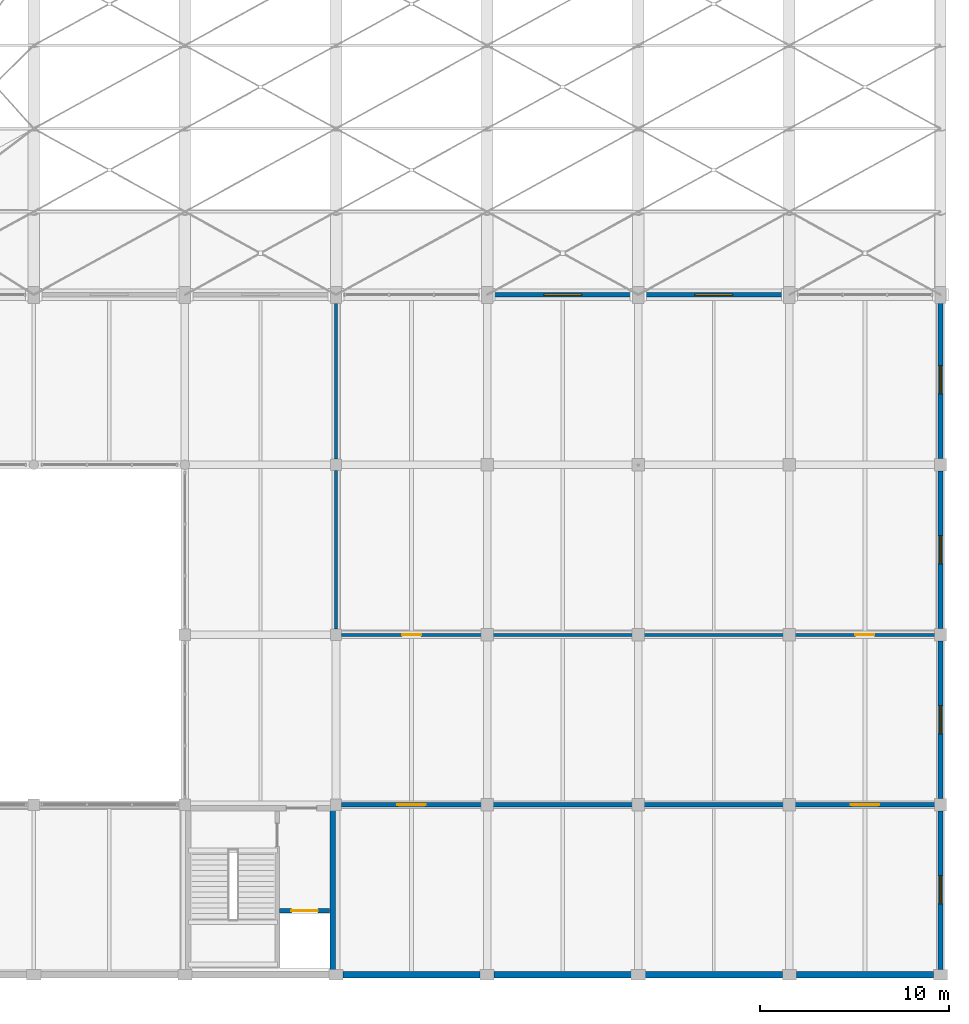
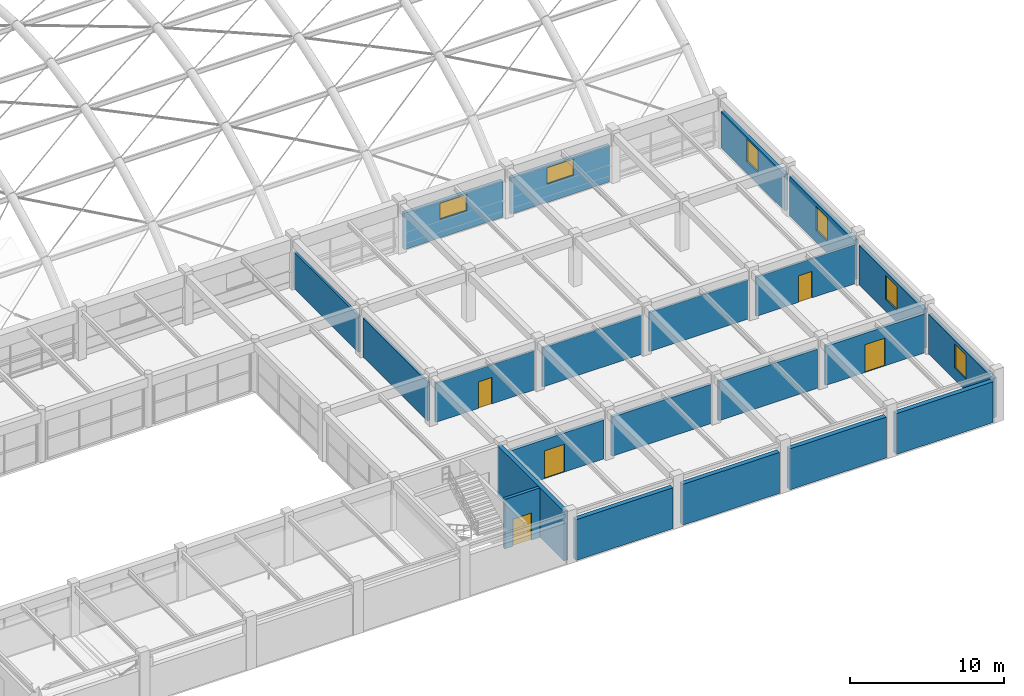
# One storey, part 103 of 126: 22 walls, 6 windows, 5 doors, 11 openings.
"""IFC4 building model written with IfcOpenShell, lengths in metres."""

from ifc_helpers import new_model, si_unit, direction, frame, frame_2d, origin, place, context, subcontext, project, spatial, rectangle, extrude, material, layer, layer_set, type_object, element, fill, save


model = new_model("IFC4")

# Units and contexts
model_context = context("Model", 3, precision=1e-05, world=origin(), true_north=direction((0.0, 1.0)))
body_context = subcontext(model_context, "Body", "Model", "MODEL_VIEW")
ifc_project = project(units=[si_unit("LENGTHUNIT", "METRE"), si_unit("AREAUNIT", "SQUARE_METRE"), si_unit("VOLUMEUNIT", "CUBIC_METRE"), si_unit("PLANEANGLEUNIT", "RADIAN"), si_unit("MASSUNIT", "GRAM", prefix="KILO")], contexts=[model_context])

# Site, building, storey
site_placement = place(None, origin())
site = spatial("IfcSite", under=ifc_project, at=site_placement, CompositionType="ELEMENT")
building_placement = place(site_placement, origin())
building = spatial("IfcBuilding", under=site, at=building_placement, Name="Varnabhumi Central Station", CompositionType="ELEMENT")
storey_placement = place(building_placement, frame((0.0, 0.0, 16.199951171875)))
storey = spatial("IfcBuildingStorey", under=building, at=storey_placement, Name="L03", CompositionType="ELEMENT", Elevation=16.199951171875)

# Wall, opening, door
ifc_material_1 = material(Name="Autoclaved aerated blockwork masonry", Category="masonry")
ifc_layer_1 = layer(ifc_material_1, 0.219970703125, Name="Autoclaved aerated blockwork masonry", Category="masonry")
ifc_layer_set_1 = layer_set([ifc_layer_1], Name="Autoclaved aerated blockwork masonry")
wall_type_1 = type_object("IfcWallType", Name="WAL-COMP-AAC-220", PredefinedType="SOLIDWALL", material=ifc_layer_set_1)
wall_1_placement = place(storey_placement, frame((152.300048828125, 9.0, 0.0), z_axis=(0.0, 0.0, 1.0), x_axis=(1.0, 0.0, 0.0)))
wall_1 = element("IfcWall", 1, at=wall_1_placement, inside=storey, type_object=wall_type_1, Name="Operations AHU Plant Room L03 Corridor Partition 1", PredefinedType="SOLIDWALL", context=body_context, shape_type="SweptSolid", body=[
    extrude(rectangle(XDim=7.39990234375, YDim=0.219970703125, at=frame_2d((3.699951171875, 0.0))), origin(), (0.0, 0.0, 1.0), 3.10009765625),
])
opening_1_placement = place(wall_1_placement, frame((2.949951171875, 0.0, 0.0)))
opening_1 = element("IfcOpeningElement", 2, at=opening_1_placement, cuts=wall_1, Name="Opening FD-PLT", PredefinedType="OPENING", context=body_context, shape_type="SweptSolid", body=[
    extrude(rectangle(XDim=1.5, YDim=2.199951171875, at=frame_2d((0.75, 1.10009765625))), frame((0.0, 0.119873046875, 0.0), z_axis=(0.0, -1.0, 0.0), x_axis=(1.0, 0.0, 0.0)), (0.0, 0.0, 1.0), 0.239990234375),
])
ifc_material_2 = material(Name="Stainless steel Grade 316", Category="steel")
door_type_1 = type_object("IfcDoorType", Name="DR-PLANT-1500", OperationType="NOTDEFINED", PredefinedType="DOOR", material=ifc_material_2)
door_1_placement = place(opening_1_placement, origin())
door_1 = element("IfcDoor", 3, at=door_1_placement, inside=storey, type_object=door_type_1, Name="Operations AHU Plant Room L03 Door 1", OperationType="SINGLE_SWING_RIGHT", OverallHeight=2.199951171875, OverallWidth=1.5, PredefinedType="DOOR", context=body_context, shape_type="SweptSolid", body=[
    extrude(rectangle(XDim=1.5, YDim=2.199951171875, at=frame_2d((0.75, 1.10009765625))), frame((0.0, 0.02490234375, 0.0), z_axis=(0.0, -1.0, 0.0), x_axis=(1.0, 0.0, 0.0)), (0.0, 0.0, 1.0), 0.050048828125),
])
fill(opening_1, door_1)

# Walls
for number, where, z_axis, x_axis, name in (
    (4, (160.300048828125, 9.0, 0.0), (0.0, 0.0, 1.0), (1.0, 0.0, 0.0), "Operations AHU Plant Room L03 Corridor Partition 2"),
    (5, (168.300048828125, 9.0, 0.0), (0.0, 0.0, 1.0), (1.0, 0.0, 0.0), "Operations AHU Plant Room L03 Corridor Partition 3"),
):
    element("IfcWall", number, at=place(storey_placement, frame(where, z_axis=z_axis, x_axis=x_axis)), inside=storey, type_object=wall_type_1, Name=name, PredefinedType="SOLIDWALL", context=body_context, shape_type="SweptSolid", body=[
        extrude(rectangle(XDim=7.39990234375, YDim=0.219970703125, at=frame_2d((3.699951171875, 0.0))), origin(), (0.0, 0.0, 1.0), 3.10009765625),
    ])

# Wall, opening, door
wall_2_placement = place(storey_placement, frame((176.300048828125, 9.0, 0.0), z_axis=(0.0, 0.0, 1.0), x_axis=(1.0, 0.0, 0.0)))
wall_2 = element("IfcWall", 6, at=wall_2_placement, inside=storey, type_object=wall_type_1, Name="Operations AHU Plant Room L03 Corridor Partition 4", PredefinedType="SOLIDWALL", context=body_context, shape_type="SweptSolid", body=[
    extrude(rectangle(XDim=7.39990234375, YDim=0.219970703125, at=frame_2d((3.699951171875, 0.0))), origin(), (0.0, 0.0, 1.0), 3.10009765625),
])
opening_2_placement = place(wall_2_placement, frame((2.949951171875, 0.0, 0.0)))
opening_2 = element("IfcOpeningElement", 7, at=opening_2_placement, cuts=wall_2, Name="Opening FD-PLT", PredefinedType="OPENING", context=body_context, shape_type="SweptSolid", body=[
    extrude(rectangle(XDim=1.5, YDim=2.199951171875, at=frame_2d((0.75, 1.10009765625))), frame((0.0, 0.119873046875, 0.0), z_axis=(0.0, -1.0, 0.0), x_axis=(1.0, 0.0, 0.0)), (0.0, 0.0, 1.0), 0.239990234375),
])
door_2_placement = place(opening_2_placement, origin())
door_2 = element("IfcDoor", 8, at=door_2_placement, inside=storey, type_object=door_type_1, Name="Operations AHU Plant Room L03 Door 4", OperationType="SINGLE_SWING_LEFT", OverallHeight=2.199951171875, OverallWidth=1.5, PredefinedType="DOOR", context=body_context, shape_type="SweptSolid", body=[
    extrude(rectangle(XDim=1.5, YDim=2.199951171875, at=frame_2d((0.75, 1.10009765625))), frame((0.0, 0.02490234375, 0.0), z_axis=(0.0, -1.0, 0.0), x_axis=(1.0, 0.0, 0.0)), (0.0, 0.0, 1.0), 0.050048828125),
])
fill(opening_2, door_2)

# Wall
ifc_material_3 = material(Name="Concrete M40", Category="concrete")
ifc_layer_2 = layer(ifc_material_3, 0.300048828125, Name="Concrete M40", Category="concrete")
ifc_layer_set_2 = layer_set([ifc_layer_2], Name="Concrete M40")
wall_type_2 = type_object("IfcWallType", Name="WAL-CORE-RC-300", PredefinedType="SHEAR", material=ifc_layer_set_2)
wall_3_placement = place(storey_placement, frame((151.820068359375, 0.179931640625, 0.0), z_axis=(0.0, 0.0, 1.0), x_axis=(0.0, 1.0, 0.0)))
element("IfcWall", 9, at=wall_3_placement, inside=storey, type_object=wall_type_2, Name="SC3 L03 East Shear Wall", PredefinedType="SHEAR", context=body_context, shape_type="SweptSolid", body=[
    extrude(rectangle(XDim=8.64013671875, YDim=0.300048828125, at=frame_2d((4.320068359375, 0.0))), origin(), (0.0, 0.0, 1.0), 3.920166015625),
])

# Wall, opening, window
ifc_layer_3 = layer(ifc_material_1, 0.260009765625, Name="Autoclaved aerated blockwork masonry", Category="masonry")
ifc_layer_set_3 = layer_set([ifc_layer_3], Name="Autoclaved aerated blockwork masonry")
wall_type_3 = type_object("IfcWallType", Name="WAL-EXT-STUCCO-260", PredefinedType="SOLIDWALL", material=ifc_layer_set_3)
wall_4_placement = place(storey_placement, frame((160.294921875, 36.0, 0.0), z_axis=(0.0, 0.0, 1.0), x_axis=(1.0, 0.0, 0.0)))
wall_4 = element("IfcWall", 10, at=wall_4_placement, inside=storey, type_object=wall_type_3, Name="South Spine Wall L03-17", PredefinedType="SOLIDWALL", context=body_context, shape_type="SweptSolid", body=[
    extrude(rectangle(XDim=7.41015625, YDim=0.260009765625, at=frame_2d((3.705078125, 0.0))), origin(), (0.0, 0.0, 1.0), 2.880126953125),
])
opening_3_placement = place(wall_4_placement, frame((2.705078125, 0.0, 1.449951171875)))
opening_3 = element("IfcOpeningElement", 11, at=opening_3_placement, cuts=wall_4, Name="Opening W-06", PredefinedType="OPENING", context=body_context, shape_type="SweptSolid", body=[
    extrude(rectangle(XDim=2.0, YDim=1.2900390625, at=frame_2d((1.0, 0.64501953125))), frame((0.0, 0.139892578125, 0.0), z_axis=(0.0, -1.0, 0.0), x_axis=(1.0, 0.0, 0.0)), (0.0, 0.0, 1.0), 0.280029296875),
])
ifc_material_4 = material(Name="Laminated low-E double glazing", Category="glass")
window_type_1 = type_object("IfcWindowType", Name="WIN-OPS-2000x1900", PartitioningType="DOUBLE_PANEL_VERTICAL", PredefinedType="WINDOW", material=ifc_material_4)
window_1_placement = place(opening_3_placement, origin())
window_1 = element("IfcWindow", 12, at=window_1_placement, inside=storey, type_object=window_type_1, Name="South Spine Overlook Window L03-17", OverallHeight=1.2900390625, OverallWidth=2.0, PartitioningType="SINGLE_PANEL", PredefinedType="WINDOW", context=body_context, shape_type="SweptSolid", body=[
    extrude(rectangle(XDim=2.0, YDim=1.2900390625, at=frame_2d((1.0, 0.64501953125))), frame((0.0, 0.030029296875, 0.0), z_axis=(0.0, -1.0, 0.0), x_axis=(1.0, 0.0, 0.0)), (0.0, 0.0, 1.0), 0.06005859375),
])
fill(opening_3, window_1)

wall_5_placement = place(storey_placement, frame((168.294921875, 36.0, 0.0), z_axis=(0.0, 0.0, 1.0), x_axis=(1.0, 0.0, 0.0)))
wall_5 = element("IfcWall", 13, at=wall_5_placement, inside=storey, type_object=wall_type_3, Name="South Spine Wall L03-18", PredefinedType="SOLIDWALL", context=body_context, shape_type="SweptSolid", body=[
    extrude(rectangle(XDim=7.41015625, YDim=0.260009765625, at=frame_2d((3.705078125, 0.0))), origin(), (0.0, 0.0, 1.0), 2.880126953125),
])
opening_4_placement = place(wall_5_placement, frame((2.705078125, 0.0, 1.449951171875)))
opening_4 = element("IfcOpeningElement", 14, at=opening_4_placement, cuts=wall_5, Name="Opening W-06", PredefinedType="OPENING", context=body_context, shape_type="SweptSolid", body=[
    extrude(rectangle(XDim=2.0, YDim=1.2900390625, at=frame_2d((1.0, 0.64501953125))), frame((0.0, 0.139892578125, 0.0), z_axis=(0.0, -1.0, 0.0), x_axis=(1.0, 0.0, 0.0)), (0.0, 0.0, 1.0), 0.280029296875),
])
window_2_placement = place(opening_4_placement, origin())
window_2 = element("IfcWindow", 15, at=window_2_placement, inside=storey, type_object=window_type_1, Name="South Spine Overlook Window L03-18", OverallHeight=1.2900390625, OverallWidth=2.0, PartitioningType="SINGLE_PANEL", PredefinedType="WINDOW", context=body_context, shape_type="SweptSolid", body=[
    extrude(rectangle(XDim=2.0, YDim=1.2900390625, at=frame_2d((1.0, 0.64501953125))), frame((0.0, 0.030029296875, 0.0), z_axis=(0.0, -1.0, 0.0), x_axis=(1.0, 0.0, 0.0)), (0.0, 0.0, 1.0), 0.06005859375),
])
fill(opening_4, window_2)

wall_6_placement = place(storey_placement, frame((184.0, 0.27001953125, 0.0), z_axis=(0.0, 0.0, 1.0), x_axis=(0.0, 1.0, 0.0)))
wall_6 = element("IfcWall", 16, at=wall_6_placement, inside=storey, type_object=wall_type_3, Name="South Wing W End Wall L03-1", PredefinedType="SOLIDWALL", context=body_context, shape_type="SweptSolid", body=[
    extrude(rectangle(XDim=8.409912109375, YDim=0.260009765625, at=frame_2d((4.205078125, 0.0))), origin(), (0.0, 0.0, 1.0), 3.130126953125),
])
opening_5_placement = place(wall_6_placement, frame((3.47998046875, 0.0, 0.949951171875)))
opening_5 = element("IfcOpeningElement", 17, at=opening_5_placement, cuts=wall_6, Name="Opening W-07", PredefinedType="OPENING", context=body_context, shape_type="SweptSolid", body=[
    extrude(rectangle(XDim=1.5, YDim=1.89990234375, at=frame_2d((0.75, 0.949951171875))), frame((0.0, 0.139892578125, 0.0), z_axis=(0.0, -1.0, 0.0), x_axis=(1.0, 0.0, 0.0)), (0.0, 0.0, 1.0), 0.280029296875),
])
window_type_2 = type_object("IfcWindowType", Name="WIN-OPS-1500x1900", PartitioningType="SINGLE_PANEL", PredefinedType="WINDOW", material=ifc_material_4)
window_3_placement = place(opening_5_placement, origin())
window_3 = element("IfcWindow", 18, at=window_3_placement, inside=storey, type_object=window_type_2, Name="South W Window L03-1", OverallHeight=1.89990234375, OverallWidth=1.5, PartitioningType="SINGLE_PANEL", PredefinedType="WINDOW", context=body_context, shape_type="SweptSolid", body=[
    extrude(rectangle(XDim=1.5, YDim=1.89990234375, at=frame_2d((0.75, 0.949951171875))), frame((0.0, 0.030029296875, 0.0), z_axis=(0.0, -1.0, 0.0), x_axis=(1.0, 0.0, 0.0)), (0.0, 0.0, 1.0), 0.06005859375),
])
fill(opening_5, window_3)

wall_7_placement = place(storey_placement, frame((184.0, 9.320068359375, 0.0), z_axis=(0.0, 0.0, 1.0), x_axis=(0.0, 1.0, 0.0)))
wall_7 = element("IfcWall", 19, at=wall_7_placement, inside=storey, type_object=wall_type_3, Name="South Wing W End Wall L03-2", PredefinedType="SOLIDWALL", context=body_context, shape_type="SweptSolid", body=[
    extrude(rectangle(XDim=8.35986328125, YDim=0.260009765625, at=frame_2d((4.179931640625, 0.0))), origin(), (0.0, 0.0, 1.0), 3.130126953125),
])
opening_6_placement = place(wall_7_placement, frame((3.429931640625, 0.0, 0.949951171875)))
opening_6 = element("IfcOpeningElement", 20, at=opening_6_placement, cuts=wall_7, Name="Opening W-07", PredefinedType="OPENING", context=body_context, shape_type="SweptSolid", body=[
    extrude(rectangle(XDim=1.5, YDim=1.89990234375, at=frame_2d((0.75, 0.949951171875))), frame((0.0, 0.139892578125, 0.0), z_axis=(0.0, -1.0, 0.0), x_axis=(1.0, 0.0, 0.0)), (0.0, 0.0, 1.0), 0.280029296875),
])
window_4_placement = place(opening_6_placement, origin())
window_4 = element("IfcWindow", 21, at=window_4_placement, inside=storey, type_object=window_type_2, Name="South W Window L03-2", OverallHeight=1.89990234375, OverallWidth=1.5, PartitioningType="SINGLE_PANEL", PredefinedType="WINDOW", context=body_context, shape_type="SweptSolid", body=[
    extrude(rectangle(XDim=1.5, YDim=1.89990234375, at=frame_2d((0.75, 0.949951171875))), frame((0.0, 0.030029296875, 0.0), z_axis=(0.0, -1.0, 0.0), x_axis=(1.0, 0.0, 0.0)), (0.0, 0.0, 1.0), 0.06005859375),
])
fill(opening_6, window_4)

wall_8_placement = place(storey_placement, frame((184.0, 18.320068359375, 0.0), z_axis=(0.0, 0.0, 1.0), x_axis=(0.0, 1.0, 0.0)))
wall_8 = element("IfcWall", 22, at=wall_8_placement, inside=storey, type_object=wall_type_3, Name="South Wing W End Wall L03-3", PredefinedType="SOLIDWALL", context=body_context, shape_type="SweptSolid", body=[
    extrude(rectangle(XDim=8.35986328125, YDim=0.260009765625, at=frame_2d((4.179931640625, 0.0))), origin(), (0.0, 0.0, 1.0), 3.130126953125),
])
opening_7_placement = place(wall_8_placement, frame((3.429931640625, 0.0, 0.949951171875)))
opening_7 = element("IfcOpeningElement", 23, at=opening_7_placement, cuts=wall_8, Name="Opening W-07", PredefinedType="OPENING", context=body_context, shape_type="SweptSolid", body=[
    extrude(rectangle(XDim=1.5, YDim=1.89990234375, at=frame_2d((0.75, 0.949951171875))), frame((0.0, 0.139892578125, 0.0), z_axis=(0.0, -1.0, 0.0), x_axis=(1.0, 0.0, 0.0)), (0.0, 0.0, 1.0), 0.280029296875),
])
window_5_placement = place(opening_7_placement, origin())
window_5 = element("IfcWindow", 24, at=window_5_placement, inside=storey, type_object=window_type_2, Name="South W Window L03-3", OverallHeight=1.89990234375, OverallWidth=1.5, PartitioningType="SINGLE_PANEL", PredefinedType="WINDOW", context=body_context, shape_type="SweptSolid", body=[
    extrude(rectangle(XDim=1.5, YDim=1.89990234375, at=frame_2d((0.75, 0.949951171875))), frame((0.0, 0.030029296875, 0.0), z_axis=(0.0, -1.0, 0.0), x_axis=(1.0, 0.0, 0.0)), (0.0, 0.0, 1.0), 0.06005859375),
])
fill(opening_7, window_5)

wall_9_placement = place(storey_placement, frame((184.0, 27.320068359375, 0.0), z_axis=(0.0, 0.0, 1.0), x_axis=(0.0, 1.0, 0.0)))
wall_9 = element("IfcWall", 25, at=wall_9_placement, inside=storey, type_object=wall_type_3, Name="South Wing W End Wall L03-4", PredefinedType="SOLIDWALL", context=body_context, shape_type="SweptSolid", body=[
    extrude(rectangle(XDim=8.280029296875, YDim=0.260009765625, at=frame_2d((4.14013671875, 0.0))), origin(), (0.0, 0.0, 1.0), 2.880126953125),
])
opening_8_placement = place(wall_9_placement, frame((3.429931640625, 0.0, 0.949951171875)))
opening_8 = element("IfcOpeningElement", 26, at=opening_8_placement, cuts=wall_9, Name="Opening W-07", PredefinedType="OPENING", context=body_context, shape_type="SweptSolid", body=[
    extrude(rectangle(XDim=1.5, YDim=1.7900390625, at=frame_2d((0.75, 0.89501953125))), frame((0.0, 0.139892578125, 0.0), z_axis=(0.0, -1.0, 0.0), x_axis=(1.0, 0.0, 0.0)), (0.0, 0.0, 1.0), 0.280029296875),
])
window_6_placement = place(opening_8_placement, origin())
window_6 = element("IfcWindow", 27, at=window_6_placement, inside=storey, type_object=window_type_2, Name="South W Window L03-4", OverallHeight=1.7900390625, OverallWidth=1.5, PartitioningType="SINGLE_PANEL", PredefinedType="WINDOW", context=body_context, shape_type="SweptSolid", body=[
    extrude(rectangle(XDim=1.5, YDim=1.7900390625, at=frame_2d((0.75, 0.89501953125))), frame((0.0, 0.030029296875, 0.0), z_axis=(0.0, -1.0, 0.0), x_axis=(1.0, 0.0, 0.0)), (0.0, 0.0, 1.0), 0.06005859375),
])
fill(opening_8, window_6)

# Wall, opening, door
ifc_layer_4 = layer(ifc_material_1, 0.159912109375, Name="Autoclaved aerated blockwork masonry", Category="masonry")
ifc_layer_set_4 = layer_set([ifc_layer_4], Name="Autoclaved aerated blockwork masonry")
wall_type_4 = type_object("IfcWallType", Name="WAL-PART-AAC-160", PredefinedType="PARTITIONING", material=ifc_layer_set_4)
wall_10_placement = place(storey_placement, frame((152.300048828125, 18.0, 0.0), z_axis=(0.0, 0.0, 1.0), x_axis=(1.0, 0.0, 0.0)))
wall_10 = element("IfcWall", 28, at=wall_10_placement, inside=storey, type_object=wall_type_4, Name="Traction Power Supervisory Control Room Corridor Partition 1", PredefinedType="PARTITIONING", context=body_context, shape_type="SweptSolid", body=[
    extrude(rectangle(XDim=7.39990234375, YDim=0.159912109375, at=frame_2d((3.699951171875, 0.0))), origin(), (0.0, 0.0, 1.0), 3.10009765625),
])
opening_9_placement = place(wall_10_placement, frame((3.199951171875, 0.0, 0.0)))
opening_9 = element("IfcOpeningElement", 29, at=opening_9_placement, cuts=wall_10, Name="Opening D-01", PredefinedType="OPENING", context=body_context, shape_type="SweptSolid", body=[
    extrude(rectangle(XDim=1.0, YDim=2.10009765625, at=frame_2d((0.5, 1.050048828125))), frame((0.0, 0.08984375, 0.0), z_axis=(0.0, -1.0, 0.0), x_axis=(1.0, 0.0, 0.0)), (0.0, 0.0, 1.0), 0.179931640625),
])
ifc_material_5 = material(Name="Intumescent-treated hardwood timber", Category="wood")
door_type_2 = type_object("IfcDoorType", Name="DR-ROOM-1000", OperationType="NOTDEFINED", PredefinedType="DOOR", material=ifc_material_5)
door_3_placement = place(opening_9_placement, frame((1.0, 0.0, 0.0), z_axis=(0.0, 0.0, 1.0), x_axis=(-1.0, 0.0, 0.0)))
door_3 = element("IfcDoor", 30, at=door_3_placement, inside=storey, type_object=door_type_2, Name="Traction Power Supervisory Control Room Door 1", OperationType="SINGLE_SWING_RIGHT", OverallHeight=2.10009765625, OverallWidth=1.0, PredefinedType="DOOR", context=body_context, shape_type="SweptSolid", body=[
    extrude(rectangle(XDim=1.0, YDim=2.10009765625, at=frame_2d((0.5, 1.050048828125))), frame((0.0, 0.02490234375, 0.0), z_axis=(0.0, -1.0, 0.0), x_axis=(1.0, 0.0, 0.0)), (0.0, 0.0, 1.0), 0.050048828125),
])
fill(opening_9, door_3)

# Walls
for number, where, z_axis, x_axis, name in (
    (31, (160.300048828125, 18.0, 0.0), (0.0, 0.0, 1.0), (1.0, 0.0, 0.0), "Traction Power Supervisory Control Room Corridor Partition 2"),
    (32, (168.300048828125, 18.0, 0.0), (0.0, 0.0, 1.0), (1.0, 0.0, 0.0), "Traction Power Supervisory Control Room Corridor Partition 3"),
):
    element("IfcWall", number, at=place(storey_placement, frame(where, z_axis=z_axis, x_axis=x_axis)), inside=storey, type_object=wall_type_4, Name=name, PredefinedType="PARTITIONING", context=body_context, shape_type="SweptSolid", body=[
        extrude(rectangle(XDim=7.39990234375, YDim=0.159912109375, at=frame_2d((3.699951171875, 0.0))), origin(), (0.0, 0.0, 1.0), 3.10009765625),
    ])

# Wall, opening, door
wall_11_placement = place(storey_placement, frame((176.300048828125, 18.0, 0.0), z_axis=(0.0, 0.0, 1.0), x_axis=(1.0, 0.0, 0.0)))
wall_11 = element("IfcWall", 33, at=wall_11_placement, inside=storey, type_object=wall_type_4, Name="Traction Power Supervisory Control Room Corridor Partition 4", PredefinedType="PARTITIONING", context=body_context, shape_type="SweptSolid", body=[
    extrude(rectangle(XDim=7.39990234375, YDim=0.159912109375, at=frame_2d((3.699951171875, 0.0))), origin(), (0.0, 0.0, 1.0), 3.10009765625),
])
opening_10_placement = place(wall_11_placement, frame((3.199951171875, 0.0, 0.0)))
opening_10 = element("IfcOpeningElement", 34, at=opening_10_placement, cuts=wall_11, Name="Opening D-01", PredefinedType="OPENING", context=body_context, shape_type="SweptSolid", body=[
    extrude(rectangle(XDim=1.0, YDim=2.10009765625, at=frame_2d((0.5, 1.050048828125))), frame((0.0, 0.08984375, 0.0), z_axis=(0.0, -1.0, 0.0), x_axis=(1.0, 0.0, 0.0)), (0.0, 0.0, 1.0), 0.179931640625),
])
door_4_placement = place(opening_10_placement, frame((1.0, 0.0, 0.0), z_axis=(0.0, 0.0, 1.0), x_axis=(-1.0, 0.0, 0.0)))
door_4 = element("IfcDoor", 35, at=door_4_placement, inside=storey, type_object=door_type_2, Name="Traction Power Supervisory Control Room Door 4", OperationType="SINGLE_SWING_LEFT", OverallHeight=2.10009765625, OverallWidth=1.0, PredefinedType="DOOR", context=body_context, shape_type="SweptSolid", body=[
    extrude(rectangle(XDim=1.0, YDim=2.10009765625, at=frame_2d((0.5, 1.050048828125))), frame((0.0, 0.02490234375, 0.0), z_axis=(0.0, -1.0, 0.0), x_axis=(1.0, 0.0, 0.0)), (0.0, 0.0, 1.0), 0.050048828125),
])
fill(opening_10, door_4)

# Walls
wall_12_placement = place(storey_placement, frame((152.0, 18.300048828125, 0.0), z_axis=(0.0, 0.0, 1.0), x_axis=(0.0, 1.0, 0.0)))
element("IfcWall", 36, at=wall_12_placement, inside=storey, type_object=wall_type_4, Name="Traction Power Supervisory Control Room E Partition 1", PredefinedType="PARTITIONING", context=body_context, shape_type="SweptSolid", body=[
    extrude(rectangle(XDim=8.39990234375, YDim=0.159912109375, at=frame_2d((4.199951171875, 0.0))), origin(), (0.0, 0.0, 1.0), 3.10009765625),
])
wall_13_placement = place(storey_placement, frame((152.0, 27.300048828125, 0.0), z_axis=(0.0, 0.0, 1.0), x_axis=(0.0, 1.0, 0.0)))
element("IfcWall", 37, at=wall_13_placement, inside=storey, type_object=wall_type_4, Name="Traction Power Supervisory Control Room E Partition 2", PredefinedType="PARTITIONING", context=body_context, shape_type="SweptSolid", body=[
    extrude(rectangle(XDim=8.39990234375, YDim=0.159912109375, at=frame_2d((4.199951171875, 0.0))), origin(), (0.0, 0.0, 1.0), 2.880126953125),
])

# Wall, opening, door
ifc_layer_5 = layer(ifc_material_3, 0.239990234375, Name="Concrete M40", Category="concrete")
ifc_layer_set_5 = layer_set([ifc_layer_5], Name="Concrete M40")
wall_type_5 = type_object("IfcWallType", Name="WAL-SHAFT-RC-240", PredefinedType="SHEAR", material=ifc_layer_set_5)
wall_14_placement = place(storey_placement, frame((149.02001953125, 3.39990234375, 0.0), z_axis=(0.0, 0.0, 1.0), x_axis=(1.0, 0.0, 0.0)))
wall_14 = element("IfcWall", 38, at=wall_14_placement, inside=storey, type_object=wall_type_5, Name="GL-1 L03 Lift Shaft Front Wall", PredefinedType="SHEAR", context=body_context, shape_type="SweptSolid", body=[
    extrude(rectangle(XDim=2.6298828125, YDim=0.239990234375, at=frame_2d((1.31494140625, 0.0))), origin(), (0.0, 0.0, 1.0), 3.920166015625),
])
opening_11_placement = place(wall_14_placement, frame((0.614990234375, 0.0, 0.0)))
opening_11 = element("IfcOpeningElement", 39, at=opening_11_placement, cuts=wall_14, Name="Opening LD-GL-1", PredefinedType="OPENING", context=body_context, shape_type="SweptSolid", body=[
    extrude(rectangle(XDim=1.39990234375, YDim=2.14990234375, at=frame_2d((0.699951171875, 1.074951171875))), frame((0.0, 0.1298828125, 0.0), z_axis=(0.0, -1.0, 0.0), x_axis=(1.0, 0.0, 0.0)), (0.0, 0.0, 1.0), 0.260009765625),
])
door_type_3 = type_object("IfcDoorType", Name="DR-LIFT-GOODS-1400", OperationType="NOTDEFINED", PredefinedType="DOOR", material=ifc_material_2)
door_5_placement = place(opening_11_placement, origin())
door_5 = element("IfcDoor", 40, at=door_5_placement, inside=storey, type_object=door_type_3, Name="Lift Landing Door GL-1 L03", OperationType="DOUBLE_DOOR_SLIDING", OverallHeight=2.14990234375, OverallWidth=1.39990234375, PredefinedType="DOOR", context=body_context, shape_type="SweptSolid", body=[
    extrude(rectangle(XDim=1.39990234375, YDim=2.14990234375, at=frame_2d((0.699951171875, 1.074951171875))), frame((0.0, 0.02490234375, 0.0), z_axis=(0.0, -1.0, 0.0), x_axis=(1.0, 0.0, 0.0)), (0.0, 0.0, 1.0), 0.050048828125),
])
fill(opening_11, door_5)

# Walls
ifc_layer_6 = layer(ifc_material_3, 0.340087890625, Name="Concrete M40", Category="concrete")
ifc_layer_set_6 = layer_set([ifc_layer_6], Name="Concrete M40")
wall_type_6 = type_object("IfcWallType", Name="WAL-SOUTH-FIRE-340", PredefinedType="SOLIDWALL", material=ifc_layer_set_6)
for number, where, z_axis, x_axis, name in (
    (41, (152.3701171875, 0.0, 0.0), (0.0, 0.0, 1.0), (1.0, 0.0, 0.0), "South Infill Boundary Fire Wall L03-16"),
    (42, (160.3701171875, 0.0, 0.0), (0.0, 0.0, 1.0), (1.0, 0.0, 0.0), "South Infill Boundary Fire Wall L03-17"),
    (43, (168.3701171875, 0.0, 0.0), (0.0, 0.0, 1.0), (1.0, 0.0, 0.0), "South Infill Boundary Fire Wall L03-18"),
    (44, (176.3701171875, 0.0, 0.0), (0.0, 0.0, 1.0), (1.0, 0.0, 0.0), "South Infill Boundary Fire Wall L03-19"),
):
    element("IfcWall", number, at=place(storey_placement, frame(where, z_axis=z_axis, x_axis=x_axis)), inside=storey, type_object=wall_type_6, Name=name, PredefinedType="SOLIDWALL", context=body_context, shape_type="SweptSolid", body=[
        extrude(rectangle(XDim=7.259765625, YDim=0.340087890625, at=frame_2d((3.6298828125, 0.0))), origin(), (0.0, 0.0, 1.0), 3.239990234375),
    ])

save(model, "model.ifc")
